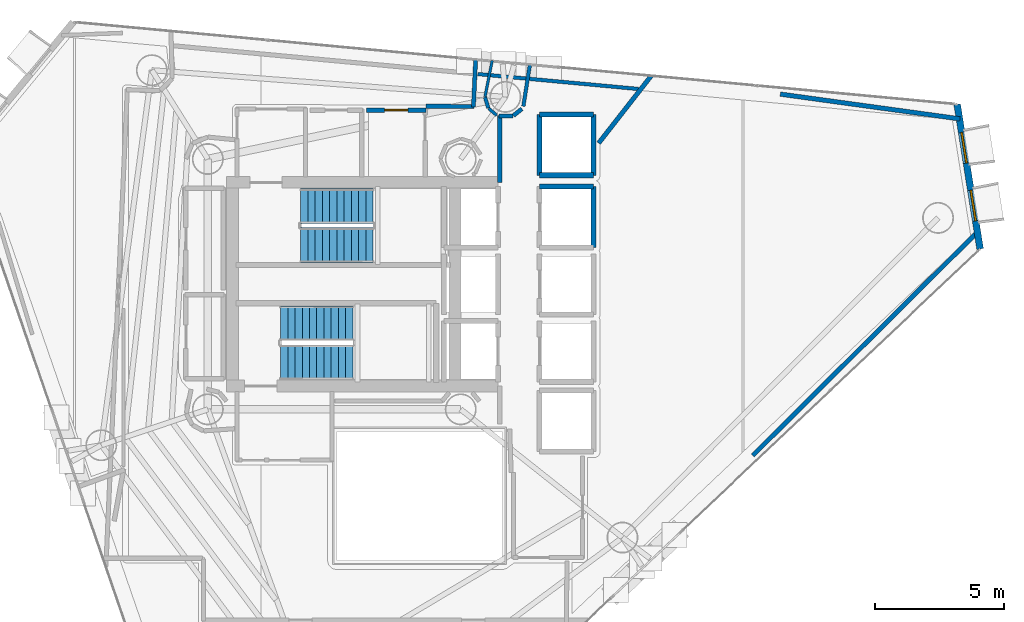
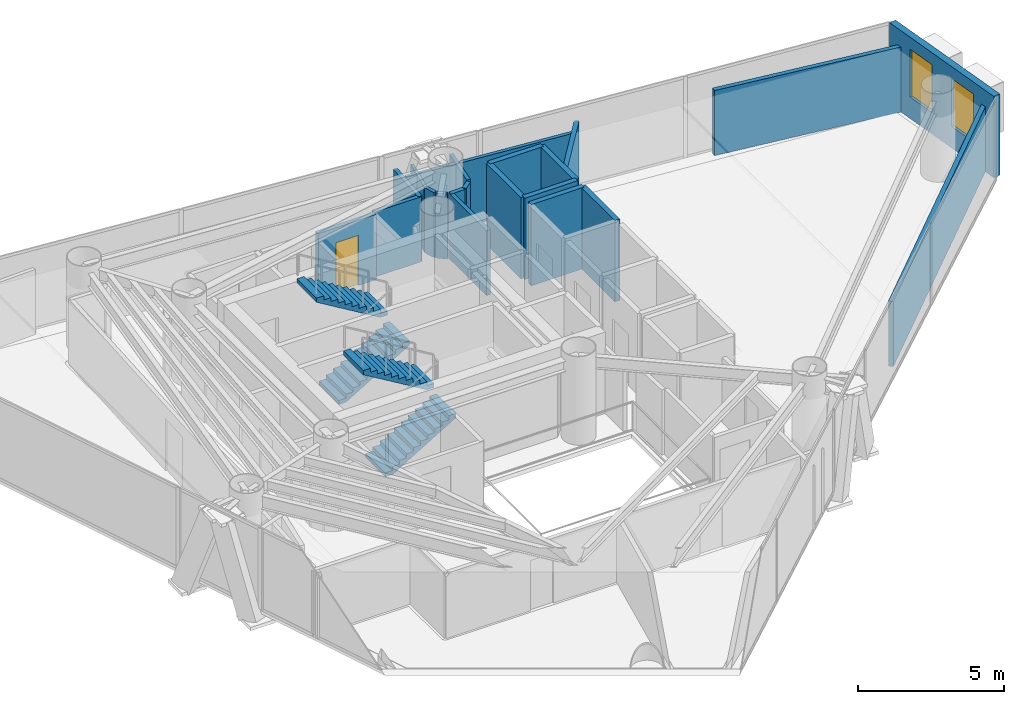
# One storey, part 18 of 20: 21 walls, 4 stair flights, 2 windows, 1 door, 3 openings, 2 elements without a shape of their own.
"""IFC4 building model written with IfcOpenShell, lengths in metres."""

from ifc_helpers import new_model, si_unit, direction, frame, frame_2d, origin, place, context, subcontext, project, spatial, polyline, rectangle, outline, extrude, material, layer, layer_set, type_object, element, fill, aggregate, save


model = new_model("IFC4")

# Units and contexts
model_context = context("Model", 3, precision=1e-05, world=origin(), true_north=direction((0.0, 1.0)))
body_context = subcontext(model_context, "Body", "Model", "MODEL_VIEW")
ifc_project = project(units=[si_unit("LENGTHUNIT", "METRE"), si_unit("AREAUNIT", "SQUARE_METRE"), si_unit("VOLUMEUNIT", "CUBIC_METRE"), si_unit("PLANEANGLEUNIT", "RADIAN"), si_unit("MASSUNIT", "GRAM", prefix="KILO")], contexts=[model_context])

# Site, building, storey
site_placement = place(None, origin())
site = spatial("IfcSite", under=ifc_project, at=site_placement, CompositionType="ELEMENT")
building_placement = place(site_placement, origin())
building = spatial("IfcBuilding", under=site, at=building_placement, Name="Qianvela Tower", CompositionType="ELEMENT")
storey_placement = place(building_placement, frame((0.0, 0.0, 226.199951171875)))
storey = spatial("IfcBuildingStorey", under=building, at=storey_placement, Name="L58", CompositionType="ELEMENT", Elevation=226.199951171875)

# Wall, openings, windows
ifc_material_1 = material(Name="Terracotta Cladding on Concrete C40", Category="masonry")
ifc_layer_1 = layer(ifc_material_1, 0.260009765625)
ifc_layer_set_1 = layer_set([ifc_layer_1], Name="Terracotta Cladding on Concrete C40")
wall_type_1 = type_object("IfcWallType", Name="TERRACOTTA-WALL-260", PredefinedType="SOLIDWALL", material=ifc_layer_set_1)
wall_1_placement = place(storey_placement, frame((58.527099609375, 30.064208984375, 0.0), z_axis=(0.0, 0.0, 1.0), x_axis=(-0.156726912171, 0.987641977136, 0.0)))
wall_1 = element("IfcWall", 1, at=wall_1_placement, inside=storey, type_object=wall_type_1, Name="L58 Terracotta Chamfer Facet Wall 1", PredefinedType="SOLIDWALL", context=body_context, shape_type="SweptSolid", body=[
    extrude(rectangle(XDim=5.6748046875, YDim=0.260009765625, at=frame_2d((2.83740234375, 0.0))), origin(), (0.0, 0.0, 1.0), 3.400146484375),
])
opening_1_placement = place(wall_1_placement, frame((1.102294921875, 0.0, 0.89990234375)))
opening_1 = element("IfcOpeningElement", 2, at=opening_1_placement, cuts=wall_1, Name="Opening W-03", PredefinedType="OPENING", context=body_context, shape_type="SweptSolid", body=[
    extrude(rectangle(XDim=1.199951171875, YDim=2.0, at=frame_2d((0.60009765625, 1.0))), frame((0.0, 0.139892578125, 0.0), z_axis=(0.0, -1.0, 0.0), x_axis=(1.0, 0.0, 0.0)), (0.0, 0.0, 1.0), 0.280029296875),
])
opening_2_placement = place(wall_1_placement, frame((3.372314453125, 0.0, 0.89990234375)))
opening_2 = element("IfcOpeningElement", 3, at=opening_2_placement, cuts=wall_1, Name="Opening W-03", PredefinedType="OPENING", context=body_context, shape_type="SweptSolid", body=[
    extrude(rectangle(XDim=1.199951171875, YDim=2.0, at=frame_2d((0.60009765625, 1.0))), frame((0.0, 0.139892578125, 0.0), z_axis=(0.0, -1.0, 0.0), x_axis=(1.0, 0.0, 0.0)), (0.0, 0.0, 1.0), 0.280029296875),
])
ifc_material_2 = material(Name="Thermally Broken Aluminium and Low-E Glass", Category="aluminium")
window_type = type_object("IfcWindowType", Name="WIN-TC-1200x2000", PartitioningType="SINGLE_PANEL", PredefinedType="WINDOW", material=ifc_material_2)
window_1_placement = place(opening_1_placement, origin())
window_1 = element("IfcWindow", 4, at=window_1_placement, inside=storey, type_object=window_type, Name="L58 Chamfer Facet Window 1.1", OverallHeight=2.0, OverallWidth=1.199951171875, PartitioningType="SINGLE_PANEL", PredefinedType="WINDOW", context=body_context, shape_type="SweptSolid", body=[
    extrude(rectangle(XDim=1.199951171875, YDim=2.0, at=frame_2d((0.60009765625, 1.0))), frame((0.0, 0.030029296875, 0.0), z_axis=(0.0, -1.0, 0.0), x_axis=(1.0, 0.0, 0.0)), (0.0, 0.0, 1.0), 0.06005859375),
])
fill(opening_1, window_1)
window_2_placement = place(opening_2_placement, origin())
window_2 = element("IfcWindow", 5, at=window_2_placement, inside=storey, type_object=window_type, Name="L58 Chamfer Facet Window 1.2", OverallHeight=2.0, OverallWidth=1.199951171875, PartitioningType="SINGLE_PANEL", PredefinedType="WINDOW", context=body_context, shape_type="SweptSolid", body=[
    extrude(rectangle(XDim=1.199951171875, YDim=2.0, at=frame_2d((0.60009765625, 1.0))), frame((0.0, 0.030029296875, 0.0), z_axis=(0.0, -1.0, 0.0), x_axis=(1.0, 0.0, 0.0)), (0.0, 0.0, 1.0), 0.06005859375),
])
fill(opening_2, window_2)

# Walls
ifc_material_3 = material(Name="Fire-Rated Gypsum and Concrete Block", Category="concrete")
ifc_layer_2 = layer(ifc_material_3, 0.159912109375)
ifc_layer_set_2 = layer_set([ifc_layer_2], Name="Fire-Rated Gypsum and Concrete Block")
wall_type_2 = type_object("IfcWallType", Name="WT-CORR-160", PredefinedType="PARTITIONING", material=ifc_layer_set_2)
wall_2_placement = place(storey_placement, frame((39.910888671875, 32.639892578125, 0.0), z_axis=(0.0, 0.0, 1.0), x_axis=(0.0, 1.0, 0.0)))
element("IfcWall", 6, at=wall_2_placement, inside=storey, type_object=wall_type_2, Name="L58 Partition 12", PredefinedType="PARTITIONING", context=body_context, shape_type="SweptSolid", body=[
    extrude(rectangle(XDim=2.60400390625, YDim=0.159912109375, at=frame_2d((1.302001953125, 0.0))), origin(), (0.0, 0.0, 1.0), 2.719970703125),
])
wall_3_placement = place(storey_placement, frame((39.880615234375, 35.212890625, 0.0), z_axis=(0.0, 0.0, 1.0), x_axis=(0.999756500784, 0.02206669754, 0.0)))
element("IfcWall", 7, at=wall_3_placement, inside=storey, type_object=wall_type_2, Name="L58 Partition 13", PredefinedType="PARTITIONING", context=body_context, shape_type="SweptSolid", body=[
    extrude(rectangle(XDim=0.542236328125, YDim=0.159912109375, at=frame_2d((0.27099609375, 0.0))), origin(), (0.0, 0.0, 1.0), 2.719970703125),
])
wall_4_placement = place(storey_placement, frame((40.44140625, 35.231689453125, 0.0), z_axis=(0.0, 0.0, 1.0), x_axis=(0.778714564707, 0.627378376033, 0.0)))
element("IfcWall", 8, at=wall_4_placement, inside=storey, type_object=wall_type_2, Name="L58 Partition 14", PredefinedType="PARTITIONING", context=body_context, shape_type="SweptSolid", body=[
    extrude(rectangle(XDim=0.421142578125, YDim=0.159912109375, at=frame_2d((0.21044921875, 0.0))), origin(), (0.0, 0.0, 1.0), 2.719970703125),
])
wall_5_placement = place(storey_placement, frame((38.97900390625, 37.42431640625, 0.0), z_axis=(0.0, 0.0, 1.0), x_axis=(-0.046339891036, -0.998925730222, 0.0)))
element("IfcWall", 9, at=wall_5_placement, inside=storey, type_object=wall_type_2, Name="L58 Partition 56", PredefinedType="PARTITIONING", context=body_context, shape_type="SweptSolid", body=[
    extrude(rectangle(XDim=1.864990234375, YDim=0.159912109375, at=frame_2d((0.9326171875, 0.0))), origin(), (0.0, 0.0, 1.0), 2.719970703125),
])
wall_6_placement = place(storey_placement, frame((38.923583984375, 35.591064453125, 0.0), z_axis=(0.0, 0.0, 1.0), x_axis=(-0.999997249133, 0.002345576034, 0.0)))
element("IfcWall", 10, at=wall_6_placement, inside=storey, type_object=wall_type_2, Name="L58 Partition 57 seg 1", PredefinedType="PARTITIONING", context=body_context, shape_type="SweptSolid", body=[
    extrude(rectangle(XDim=1.87353515625, YDim=0.159912109375, at=frame_2d((0.936767578125, 0.0))), origin(), (0.0, 0.0, 1.0), 2.719970703125),
])
ifc_material_4 = material(Name="Lightweight Gypsum Room Partition")
ifc_layer_3 = layer(ifc_material_4, 0.10498046875)
ifc_layer_set_3 = layer_set([ifc_layer_3], Name="Lightweight Gypsum Room Partition")
wall_type_3 = type_object("IfcWallType", Name="WT-PART-105", PredefinedType="PARTITIONING", material=ifc_layer_set_3)
wall_7_placement = place(storey_placement, frame((39.618896484375, 37.36474609375, 0.0), z_axis=(0.0, 0.0, 1.0), x_axis=(-0.194899506201, -0.980823216733, 0.0)))
element("IfcWall", 11, at=wall_7_placement, inside=storey, type_object=wall_type_3, Name="L58 Partition 108", PredefinedType="PARTITIONING", context=body_context, shape_type="SweptSolid", body=[
    extrude(rectangle(XDim=1.427978515625, YDim=0.10498046875, at=frame_2d((0.7138671875, 0.0))), origin(), (0.0, 0.0, 1.0), 2.719970703125),
])
ifc_material_5 = material(Name="Insulated Gypsum Stud Partition")
ifc_layer_4 = layer(ifc_material_5, 0.1201171875)
ifc_layer_set_4 = layer_set([ifc_layer_4], Name="Insulated Gypsum Stud Partition")
wall_type_4 = type_object("IfcWallType", Name="WT-PART-120", PredefinedType="PARTITIONING", material=ifc_layer_set_4)
wall_8_placement = place(storey_placement, frame((39.47900390625, 35.51220703125, 0.0), z_axis=(0.0, 0.0, 1.0), x_axis=(0.764834909506, -0.644226327622, 0.0)))
element("IfcWall", 12, at=wall_8_placement, inside=storey, type_object=wall_type_4, Name="L58 Partition 110", PredefinedType="PARTITIONING", context=body_context, shape_type="SweptSolid", body=[
    extrude(rectangle(XDim=0.4150390625, YDim=0.1201171875, at=frame_2d((0.20751953125, 0.0))), origin(), (0.0, 0.0, 1.0), 2.719970703125),
])

# Wall, opening, door
ifc_material_6 = material(Name="Moisture-Resistant Acoustic Plumbing Wall")
ifc_layer_5 = layer(ifc_material_6, 0.175048828125)
ifc_layer_set_5 = layer_set([ifc_layer_5], Name="Moisture-Resistant Acoustic Plumbing Wall")
wall_type_5 = type_object("IfcWallType", Name="WT-PLUMB-175", PredefinedType="PLUMBINGWALL", material=ifc_layer_set_5)
wall_9_placement = place(storey_placement, frame((34.75, 35.448974609375, 0.0), z_axis=(0.0, 0.0, 1.0), x_axis=(1.0, 0.0, 0.0)))
wall_9 = element("IfcWall", 13, at=wall_9_placement, inside=storey, type_object=wall_type_5, Name="L58 Partition 26", PredefinedType="PLUMBINGWALL", context=body_context, shape_type="SweptSolid", body=[
    extrude(rectangle(XDim=2.300048828125, YDim=0.175048828125, at=frame_2d((1.14990234375, 0.0))), origin(), (0.0, 0.0, 1.0), 2.719970703125),
])
opening_3_placement = place(wall_9_placement, frame((0.699951171875, 0.0, 0.0)))
opening_3 = element("IfcOpeningElement", 14, at=opening_3_placement, cuts=wall_9, Name="Opening D-KT1", PredefinedType="OPENING", context=body_context, shape_type="SweptSolid", body=[
    extrude(rectangle(XDim=0.89990234375, YDim=2.10009765625, at=frame_2d((0.449951171875, 1.050048828125))), frame((0.0, 0.097412109375, 0.0), z_axis=(0.0, -1.0, 0.0), x_axis=(1.0, 0.0, 0.0)), (0.0, 0.0, 1.0), 0.195068359375),
])
ifc_material_7 = material(Name="Glazed Timber Kitchen Door", Category="wood")
door_type = type_object("IfcDoorType", Name="DT-KITCH-900", OperationType="NOTDEFINED", PredefinedType="DOOR", material=ifc_material_7)
door_placement = place(opening_3_placement, origin())
door = element("IfcDoor", 15, at=door_placement, inside=storey, type_object=door_type, Name="L58 Door L58 Core Tea Pantry to L58 Floor Corridor", OperationType="SINGLE_SWING_RIGHT", OverallHeight=2.10009765625, OverallWidth=0.89990234375, PredefinedType="DOOR", context=body_context, shape_type="SweptSolid", body=[
    extrude(rectangle(XDim=0.89990234375, YDim=2.10009765625, at=frame_2d((0.449951171875, 1.050048828125))), frame((0.0, 0.02490234375, 0.0), z_axis=(0.0, -1.0, 0.0), x_axis=(1.0, 0.0, 0.0)), (0.0, 0.0, 1.0), 0.050048828125),
])
fill(opening_3, door)

# Walls
wall_10_placement = place(storey_placement, frame((43.744384765625, 34.166259765625, 0.0), z_axis=(0.0, 0.0, 1.0), x_axis=(0.615631223484, 0.788034388001, 0.0)))
element("IfcWall", 16, at=wall_10_placement, inside=storey, type_object=wall_type_5, Name="L58 Partition 99", PredefinedType="PLUMBINGWALL", context=body_context, shape_type="SweptSolid", body=[
    extrude(rectangle(XDim=3.326416015625, YDim=0.175048828125, at=frame_2d((1.6630859375, 0.0))), origin(), (0.0, 0.0, 1.0), 2.719970703125),
])
wall_11_placement = place(storey_placement, frame((50.783935546875, 36.065185546875, 0.0), z_axis=(0.0, 0.0, 1.0), x_axis=(0.990633608962, -0.13654688863, 0.0)))
element("IfcWall", 17, at=wall_11_placement, inside=storey, type_object=wall_type_5, Name="L58 Partition 100 seg 1", PredefinedType="PLUMBINGWALL", context=body_context, shape_type="SweptSolid", body=[
    extrude(rectangle(XDim=7.028564453125, YDim=0.175048828125, at=frame_2d((3.51416015625, 0.0))), origin(), (0.0, 0.0, 1.0), 2.719970703125),
])
wall_12_placement = place(storey_placement, frame((58.43701171875, 30.7373046875, 0.0), z_axis=(0.0, 0.0, 1.0), x_axis=(-0.709059350693, -0.705148805002, 0.0)))
element("IfcWall", 18, at=wall_12_placement, inside=storey, type_object=wall_type_5, Name="L58 Partition 102 seg 1", PredefinedType="PLUMBINGWALL", context=body_context, shape_type="SweptSolid", body=[
    extrude(rectangle(XDim=12.299072265625, YDim=0.175048828125, at=frame_2d((6.1494140625, 0.0))), origin(), (0.0, 0.0, 1.0), 2.719970703125),
])
ifc_material_8 = material(Name="Acoustic Double Gypsum Stud Partition")
ifc_layer_6 = layer(ifc_material_8, 0.139892578125)
ifc_layer_set_6 = layer_set([ifc_layer_6], Name="Acoustic Double Gypsum Stud Partition")
wall_type_6 = type_object("IfcWallType", Name="WT-ROOM-140", PredefinedType="PARTITIONING", material=ifc_layer_set_6)
wall_13_placement = place(storey_placement, frame((40.8271484375, 35.59375, 0.0), z_axis=(0.0, 0.0, 1.0), x_axis=(0.155492863566, 0.987837015595, 0.0)))
element("IfcWall", 19, at=wall_13_placement, inside=storey, type_object=wall_type_6, Name="L58 Partition 103", PredefinedType="PARTITIONING", context=body_context, shape_type="SweptSolid", body=[
    extrude(rectangle(XDim=1.65478515625, YDim=0.139892578125, at=frame_2d((0.827392578125, 0.0))), origin(), (0.0, 0.0, 1.0), 2.719970703125),
])
wall_14_placement = place(storey_placement, frame((39.34130859375, 35.948974609375, 0.0), z_axis=(0.0, 0.0, 1.0), x_axis=(0.290544943199, -0.956861346268, 0.0)))
element("IfcWall", 20, at=wall_14_placement, inside=storey, type_object=wall_type_6, Name="L58 Partition 109", PredefinedType="PARTITIONING", context=body_context, shape_type="SweptSolid", body=[
    extrude(rectangle(XDim=0.441162109375, YDim=0.139892578125, at=frame_2d((0.220703125, 0.0))), origin(), (0.0, 0.0, 1.0), 2.719970703125),
])
wall_15_placement = place(storey_placement, frame((39.0615234375, 36.843017578125, 0.0), z_axis=(0.0, 0.0, 1.0), x_axis=(0.995704481779, -0.092588255012, 0.0)))
element("IfcWall", 21, at=wall_15_placement, inside=storey, type_object=wall_type_6, Name="L58 Partition 124 seg 1", PredefinedType="PARTITIONING", context=body_context, shape_type="SweptSolid", body=[
    extrude(rectangle(XDim=6.251953125, YDim=0.139892578125, at=frame_2d((3.1259765625, 0.0))), origin(), (0.0, 0.0, 1.0), 2.719970703125),
])
ifc_material_9 = material(Name="Concrete C50", Category="concrete")
ifc_layer_7 = layer(ifc_material_9, 0.199951171875)
ifc_layer_set_7 = layer_set([ifc_layer_7], Name="Concrete C50")
wall_type_7 = type_object("IfcWallType", Name="WT-SHAFT-200", PredefinedType="SOLIDWALL", material=ifc_layer_set_7)
wall_16_placement = place(storey_placement, frame((43.550048828125, 30.1201171875, 0.0), z_axis=(0.0, 0.0, 1.0), x_axis=(0.0, 1.0, 0.0)))
element("IfcWall", 22, at=wall_16_placement, inside=storey, type_object=wall_type_7, Name="L58 Lift PL-M1 E Shaft Wall", PredefinedType="SOLIDWALL", context=body_context, shape_type="SweptSolid", body=[
    extrude(rectangle(XDim=2.35986328125, YDim=0.199951171875, at=frame_2d((1.179931640625, 0.0))), origin(), (0.0, 0.0, 1.0), 3.400146484375),
])
wall_17_placement = place(storey_placement, frame((41.449951171875, 32.47998046875, 0.0), z_axis=(0.0, 0.0, 1.0), x_axis=(1.0, 0.0, 0.0)))
element("IfcWall", 23, at=wall_17_placement, inside=storey, type_object=wall_type_7, Name="L58 Lift PL-M1 N Shaft Wall", PredefinedType="SOLIDWALL", context=body_context, shape_type="SweptSolid", body=[
    extrude(rectangle(XDim=2.10009765625, YDim=0.199951171875, at=frame_2d((1.050048828125, 0.0))), origin(), (0.0, 0.0, 1.0), 3.400146484375),
])
for number, where, z_axis, x_axis, name in (
    (24, (43.550048828125, 32.919921875, 0.0), (0.0, 0.0, 1.0), (0.0, 1.0, 0.0), "L58 Lift PL-H3 E Shaft Wall"),
    (25, (41.449951171875, 32.919921875, 0.0), (0.0, 0.0, 1.0), (0.0, 1.0, 0.0), "L58 Lift PL-H3 W Shaft Wall"),
):
    element("IfcWall", number, at=place(storey_placement, frame(where, z_axis=z_axis, x_axis=x_axis)), inside=storey, type_object=wall_type_7, Name=name, PredefinedType="SOLIDWALL", context=body_context, shape_type="SweptSolid", body=[
        extrude(rectangle(XDim=2.360107421875, YDim=0.199951171875, at=frame_2d((1.18017578125, 0.0))), origin(), (0.0, 0.0, 1.0), 3.400146484375),
    ])
for number, where, z_axis, x_axis, name in (
    (26, (41.449951171875, 35.280029296875, 0.0), (0.0, 0.0, 1.0), (1.0, 0.0, 0.0), "L58 Lift PL-H3 N Shaft Wall"),
    (27, (41.449951171875, 32.919921875, 0.0), (0.0, 0.0, 1.0), (1.0, 0.0, 0.0), "L58 Lift PL-H3 S Shaft Wall"),
):
    element("IfcWall", number, at=place(storey_placement, frame(where, z_axis=z_axis, x_axis=x_axis)), inside=storey, type_object=wall_type_7, Name=name, PredefinedType="SOLIDWALL", context=body_context, shape_type="SweptSolid", body=[
        extrude(rectangle(XDim=2.10009765625, YDim=0.199951171875, at=frame_2d((1.050048828125, 0.0))), origin(), (0.0, 0.0, 1.0), 3.400146484375),
    ])

# Stair, stair flights
ifc_material_10 = material(Name="Concrete C40", Category="concrete")
stair_type = type_object("IfcStairType", Name="ST-DOGLEG-1350-R168-N22", PredefinedType="HALF_TURN_STAIR", material=ifc_material_10)
stair_1_placement = place(storey_placement, origin())
stair_1 = element("IfcStair", 28, at=stair_1_placement, inside=storey, type_object=stair_type, Name="L58 Smoke-Proof Core Stair ST-1", PredefinedType="HALF_TURN_STAIR")
ifc_material_11 = material(Name="Concrete C40", Category="concrete")
stair_flight_type = type_object("IfcStairFlightType", Name="STF-STRAIGHT-R168-P11", PredefinedType="STRAIGHT", material=ifc_material_11)
stair_flight_1_placement = place(storey_placement, frame((32.199951171875, 30.215087890625, 0.0), z_axis=(0.0, 0.0, 1.0), x_axis=(1.0, 0.0, 0.0)))
stair_flight_1 = element("IfcStairFlight", 29, at=stair_flight_1_placement, type_object=stair_flight_type, Name="ST-1 flight 1", NumberOfRisers=11, NumberOfTreads=10, PredefinedType="STRAIGHT", RiserHeight=0.168181818, TreadLength=0.28, context=body_context, shape_type="SweptSolid", body=[
    extrude(outline(polyline([(0.0, 0.0), (0.0, 0.168212890625), (0.280029296875, 0.168212890625), (0.280029296875, 0.33642578125), (0.56005859375, 0.33642578125), (0.56005859375, 0.504638671875), (0.840087890625, 0.504638671875), (0.840087890625, 0.672607421875), (1.1201171875, 0.672607421875), (1.1201171875, 0.8408203125), (1.39990234375, 0.8408203125), (1.39990234375, 1.009033203125), (1.679931640625, 1.009033203125), (1.679931640625, 1.17724609375), (1.9599609375, 1.17724609375), (1.9599609375, 1.345458984375), (2.239990234375, 1.345458984375), (2.239990234375, 1.513671875), (2.52001953125, 1.513671875), (2.52001953125, 1.681884765625), (2.800048828125, 1.681884765625), (2.800048828125, 1.85009765625), (2.800048828125, 1.5068359375), (0.291015625, 0.0), (0.0, 0.0)])), frame((0.0, 0.675048828125, 0.0), z_axis=(0.0, -1.0, 0.0), x_axis=(1.0, 0.0, 0.0)), (0.0, 0.0, 1.0), 1.35009765625),
])
stair_flight_2_placement = place(storey_placement, frame((35.0, 31.72509765625, 1.85009765625), z_axis=(0.0, 0.0, 1.0), x_axis=(-1.0, 0.0, 0.0)))
stair_flight_2 = element("IfcStairFlight", 30, at=stair_flight_2_placement, type_object=stair_flight_type, Name="ST-1 flight 2", NumberOfRisers=11, NumberOfTreads=10, PredefinedType="STRAIGHT", RiserHeight=0.168181818, TreadLength=0.28, context=body_context, shape_type="SweptSolid", body=[
    extrude(outline(polyline([(0.0, 0.0), (0.0, 0.168212890625), (0.280029296875, 0.168212890625), (0.280029296875, 0.33642578125), (0.56005859375, 0.33642578125), (0.56005859375, 0.504638671875), (0.840087890625, 0.504638671875), (0.840087890625, 0.672607421875), (1.1201171875, 0.672607421875), (1.1201171875, 0.8408203125), (1.39990234375, 0.8408203125), (1.39990234375, 1.009033203125), (1.679931640625, 1.009033203125), (1.679931640625, 1.17724609375), (1.9599609375, 1.17724609375), (1.9599609375, 1.345458984375), (2.239990234375, 1.345458984375), (2.239990234375, 1.513671875), (2.52001953125, 1.513671875), (2.52001953125, 1.681884765625), (2.800048828125, 1.681884765625), (2.800048828125, 1.85009765625), (2.800048828125, 1.5068359375), (0.291015625, 0.0), (0.0, 0.0)])), frame((0.0, 0.675048828125, 0.0), z_axis=(0.0, -1.0, 0.0), x_axis=(1.0, 0.0, 0.0)), (0.0, 0.0, 1.0), 1.35009765625),
])
aggregate(stair_1, [stair_flight_1, stair_flight_2])

stair_2_placement = place(storey_placement, origin())
stair_2 = element("IfcStair", 31, at=stair_2_placement, inside=storey, type_object=stair_type, Name="L58 Smoke-Proof Core Stair ST-2", PredefinedType="HALF_TURN_STAIR")
stair_flight_3_placement = place(storey_placement, frame((31.419921875, 25.675048828125, 0.0), z_axis=(0.0, 0.0, 1.0), x_axis=(1.0, 0.0, 0.0)))
stair_flight_3 = element("IfcStairFlight", 32, at=stair_flight_3_placement, type_object=stair_flight_type, Name="ST-2 flight 1", NumberOfRisers=11, NumberOfTreads=10, PredefinedType="STRAIGHT", RiserHeight=0.168181818, TreadLength=0.28, context=body_context, shape_type="SweptSolid", body=[
    extrude(outline(polyline([(0.0, 0.0), (0.0, 0.168212890625), (0.280029296875, 0.168212890625), (0.280029296875, 0.33642578125), (0.56005859375, 0.33642578125), (0.56005859375, 0.504638671875), (0.840087890625, 0.504638671875), (0.840087890625, 0.672607421875), (1.1201171875, 0.672607421875), (1.1201171875, 0.8408203125), (1.39990234375, 0.8408203125), (1.39990234375, 1.009033203125), (1.679931640625, 1.009033203125), (1.679931640625, 1.17724609375), (1.9599609375, 1.17724609375), (1.9599609375, 1.345458984375), (2.239990234375, 1.345458984375), (2.239990234375, 1.513671875), (2.52001953125, 1.513671875), (2.52001953125, 1.681884765625), (2.800048828125, 1.681884765625), (2.800048828125, 1.85009765625), (2.800048828125, 1.5068359375), (0.291015625, 0.0), (0.0, 0.0)])), frame((0.0, 0.675048828125, 0.0), z_axis=(0.0, -1.0, 0.0), x_axis=(1.0, 0.0, 0.0)), (0.0, 0.0, 1.0), 1.35009765625),
])
stair_flight_4_placement = place(storey_placement, frame((34.219970703125, 27.18505859375, 1.85009765625), z_axis=(0.0, 0.0, 1.0), x_axis=(-1.0, 0.0, 0.0)))
stair_flight_4 = element("IfcStairFlight", 33, at=stair_flight_4_placement, type_object=stair_flight_type, Name="ST-2 flight 2", NumberOfRisers=11, NumberOfTreads=10, PredefinedType="STRAIGHT", RiserHeight=0.168181818, TreadLength=0.28, context=body_context, shape_type="SweptSolid", body=[
    extrude(outline(polyline([(0.0, 0.0), (0.0, 0.168212890625), (0.280029296875, 0.168212890625), (0.280029296875, 0.33642578125), (0.56005859375, 0.33642578125), (0.56005859375, 0.504638671875), (0.840087890625, 0.504638671875), (0.840087890625, 0.672607421875), (1.1201171875, 0.672607421875), (1.1201171875, 0.8408203125), (1.39990234375, 0.8408203125), (1.39990234375, 1.009033203125), (1.679931640625, 1.009033203125), (1.679931640625, 1.17724609375), (1.9599609375, 1.17724609375), (1.9599609375, 1.345458984375), (2.239990234375, 1.345458984375), (2.239990234375, 1.513671875), (2.52001953125, 1.513671875), (2.52001953125, 1.681884765625), (2.800048828125, 1.681884765625), (2.800048828125, 1.85009765625), (2.800048828125, 1.5068359375), (0.291015625, 0.0), (0.0, 0.0)])), frame((0.0, 0.675048828125, 0.0), z_axis=(0.0, -1.0, 0.0), x_axis=(1.0, 0.0, 0.0)), (0.0, 0.0, 1.0), 1.35009765625),
])
aggregate(stair_2, [stair_flight_3, stair_flight_4])

save(model, "model.ifc")
